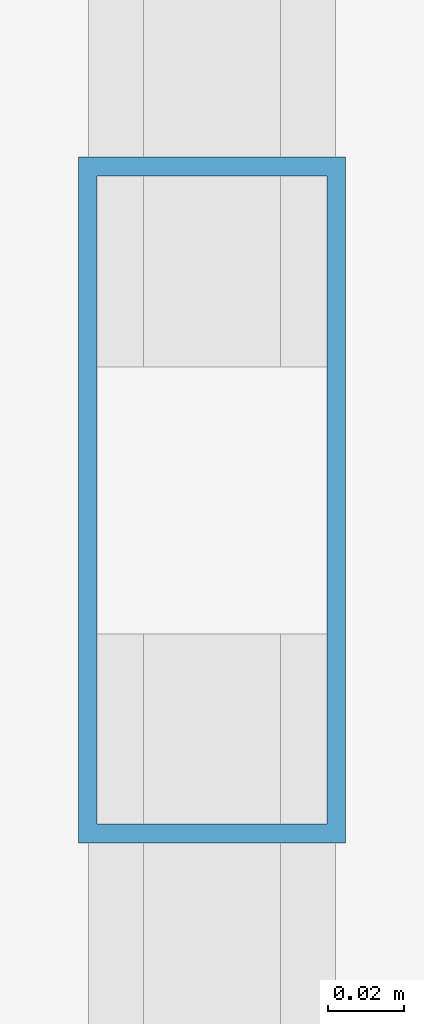
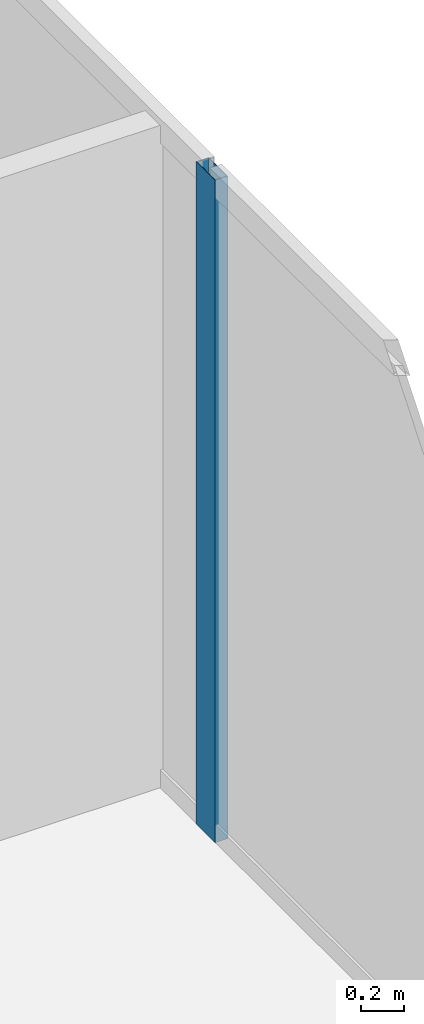
# One storey, part 24 of 33: 1 member, 1 element without a shape of its own.
"""IFC4 building model written with IfcOpenShell, lengths in metres."""

import ifcopenshell
import ifcopenshell.guid

model = None  # the IFC model being written
_history = None  # IfcOwnerHistory: only IFC2X3 demands one
_inside = {}  # id of a spatial element -> (the spatial element, [elements in it])
_under = {}  # id of a project, library or spatial element -> (it, [spatial elements below it])
_declared = {}  # id of a project -> (the project, [libraries it declares])
_typed = {}  # id of a type object -> (the type object, [elements of that type])
_made_of = {}  # id of a material, layer set ... -> (it, [elements and type objects made of it])


def new_model(schema):
    """Start an empty IFC model of exactly this schema.

    Asked for "IFC4X3", IfcOpenShell would pick the latest addendum, in which some entities
    have other attributes; the version numbers below select the first issue.
    IFC2X3 requires an IfcOwnerHistory on every rooted entity: one is made here for all.
    """
    global model, _history
    if schema == "IFC4X3":
        model = ifcopenshell.file(schema_version=(4, 3, 0, 0))
    else:
        model = ifcopenshell.file(schema=schema)
    _inside.clear()
    _under.clear()
    _declared.clear()
    _typed.clear()
    _made_of.clear()
    _history = None
    if model.schema == "IFC2X3":
        org = make("IfcOrganization", Name="unknown")
        user = make(
            "IfcPersonAndOrganization",
            ThePerson=make("IfcPerson", FamilyName="unknown"),
            TheOrganization=org,
        )
        app = make(
            "IfcApplication",
            ApplicationDeveloper=org,
            Version="unknown",
            ApplicationFullName="unknown",
            ApplicationIdentifier="unknown",
        )
        _history = make(
            "IfcOwnerHistory",
            OwningUser=user,
            OwningApplication=app,
            ChangeAction="ADDED",
            CreationDate=0,
        )
    return model


def make(cls, **values):
    """One entity of the class cls with the attributes given. An attribute that is None is left unset."""
    return model.create_entity(
        cls, **{name: value for name, value in values.items() if value is not None}
    )


def rooted(cls, **values):
    """An entity with a GlobalId (a new one), such as an element, a storey or a relation."""
    return make(cls, GlobalId=ifcopenshell.guid.new(), OwnerHistory=_history, **values)


def si_unit(unit_type, name, prefix=None):
    """IfcSIUnit, for example si_unit("LENGTHUNIT", "METRE", prefix="MILLI")."""
    return make("IfcSIUnit", UnitType=unit_type, Prefix=prefix, Name=name)


def assignment(units):
    """IfcUnitAssignment: the units of a project."""
    return None if units is None else make("IfcUnitAssignment", Units=units)


def point(xyz):
    """IfcCartesianPoint."""
    return None if xyz is None else make("IfcCartesianPoint", Coordinates=xyz)


def direction(xyz):
    """IfcDirection."""
    return None if xyz is None else make("IfcDirection", DirectionRatios=xyz)


def frame(location, z_axis=None, x_axis=None):
    """IfcAxis2Placement3D, a coordinate frame: its origin and axes. An axis left out is left unset."""
    return make(
        "IfcAxis2Placement3D",
        Location=point(location),
        Axis=direction(z_axis),
        RefDirection=direction(x_axis),
    )


def frame_2d(location, x_axis=None):
    """IfcAxis2Placement2D, a coordinate frame in the plane: its origin and x axis."""
    return make(
        "IfcAxis2Placement2D", Location=point(location), RefDirection=direction(x_axis)
    )


def origin():
    """The frame at (0, 0, 0) with its axes left unset."""
    return frame((0.0, 0.0, 0.0))


def origin_2d():
    """The frame at (0, 0) in the plane with its x axis left unset."""
    return frame_2d((0.0, 0.0))


def place(relative_to, where):
    """IfcLocalPlacement: puts the frame where relative to a parent placement (None: the world)."""
    return make(
        "IfcLocalPlacement", PlacementRelTo=relative_to, RelativePlacement=where
    )


def context(
    kind, dimensions, precision=None, world=None, true_north=None, identifier=None
):
    """IfcGeometricRepresentationContext, for example the 3D "Model" context."""
    return make(
        "IfcGeometricRepresentationContext",
        ContextIdentifier=identifier,
        ContextType=kind,
        CoordinateSpaceDimension=dimensions,
        Precision=precision,
        WorldCoordinateSystem=world,
        TrueNorth=true_north,
    )


def subcontext(parent, identifier, kind, view, scale=None):
    """IfcGeometricRepresentationSubContext, for example "Body" below "Model"."""
    return make(
        "IfcGeometricRepresentationSubContext",
        ContextIdentifier=identifier,
        ContextType=kind,
        ParentContext=parent,
        TargetScale=scale,
        TargetView=view,
    )


def project(units=None, contexts=None):
    """IfcProject with its units and contexts."""
    return rooted(
        "IfcProject",
        Name="project",
        RepresentationContexts=contexts,
        UnitsInContext=assignment(units),
    )


def spatial(cls, under=None, at=None, **own):
    """A site, building, storey or space (cls), placed at a placement, below another one or the project."""
    s = rooted(cls, ObjectPlacement=at, **own)
    if under is not None:
        _under.setdefault(under.id(), (under, []))[1].append(s)
    return s


def profile(cls, at=None, kind="AREA", **sizes):
    """A parametric profile (cls). Its sizes go by their IFC names, for example OverallWidth=200.0."""
    return make(cls, ProfileType=kind, Position=at, **sizes)


def hollow_rectangle(**sizes):
    """IfcRectangleHollowProfileDef."""
    return profile("IfcRectangleHollowProfileDef", **sizes)


def extrude(swept, where, along, depth):
    """IfcExtrudedAreaSolid: the profile swept, set in the frame where, extruded along a direction by depth."""
    return make(
        "IfcExtrudedAreaSolid",
        SweptArea=swept,
        Position=where,
        ExtrudedDirection=direction(along),
        Depth=depth,
    )


def shape(context_of_items, identifier, shape_type, items):
    """IfcShapeRepresentation: the items that make up one representation, for example the "Body"."""
    return make(
        "IfcShapeRepresentation",
        ContextOfItems=context_of_items,
        RepresentationIdentifier=identifier,
        RepresentationType=shape_type,
        Items=items,
    )


def source(mapping_origin, context_of_items, identifier, shape_type, items):
    """IfcRepresentationMap: a shape defined once, which mapped items show again and again."""
    return make(
        "IfcRepresentationMap",
        MappingOrigin=mapping_origin,
        MappedRepresentation=shape(context_of_items, identifier, shape_type, items),
    )


def transform(
    local_origin,
    x_axis=None,
    y_axis=None,
    z_axis=None,
    scale=None,
    scale2=None,
    scale3=None,
    uniform=True,
):
    """IfcCartesianTransformationOperator3D, or its non-uniform kind. x_axis, y_axis, z_axis: its Axis1, 2, 3."""
    if uniform:
        return make(
            "IfcCartesianTransformationOperator3D",
            Axis1=direction(x_axis),
            Axis2=direction(y_axis),
            LocalOrigin=point(local_origin),
            Scale=scale,
            Axis3=direction(z_axis),
        )
    return make(
        "IfcCartesianTransformationOperator3DnonUniform",
        Axis1=direction(x_axis),
        Axis2=direction(y_axis),
        LocalOrigin=point(local_origin),
        Scale=scale,
        Axis3=direction(z_axis),
        Scale2=scale2,
        Scale3=scale3,
    )


def mapped(mapping_source, mapping_target):
    """IfcMappedItem: shows the shape of a source again, moved by a transform."""
    return make(
        "IfcMappedItem", MappingSource=mapping_source, MappingTarget=mapping_target
    )


def material(Name=None, Category=None):
    """IfcMaterial."""
    return make("IfcMaterial", Name=Name, Category=Category)


def layer(
    of_material, thickness, ventilated=None, Name=None, Category=None, Priority=None
):
    """IfcMaterialLayer: one layer of a wall or slab, of a material (None: an air gap)."""
    return make(
        "IfcMaterialLayer",
        Material=of_material,
        LayerThickness=thickness,
        IsVentilated=ventilated,
        Name=Name,
        Category=Category,
        Priority=Priority,
    )


def layer_set(layers, Name=None):
    """IfcMaterialLayerSet."""
    return make("IfcMaterialLayerSet", MaterialLayers=layers, LayerSetName=Name)


def material_profile(
    of_material, cross_section, Name=None, Category=None, Priority=None
):
    """IfcMaterialProfile: a cross section and its material."""
    return make(
        "IfcMaterialProfile",
        Name=Name,
        Material=of_material,
        Profile=cross_section,
        Priority=Priority,
        Category=Category,
    )


def profile_set(profiles, Name=None, composite=None):
    """IfcMaterialProfileSet."""
    return make(
        "IfcMaterialProfileSet",
        Name=Name,
        MaterialProfiles=profiles,
        CompositeProfile=composite,
    )


def made_of(thing, what):
    """Note that an element or type object is made of a material, layer set ...; save() writes the relation."""
    if what is not None:
        _made_of.setdefault(what.id(), (what, []))[1].append(thing)
    return thing


def type_object(cls, material=None, **own):
    """A type object (cls), such as IfcWallType, which elements share."""
    return made_of(rooted(cls, **own), material)


def type_shapes(of_type, sources):
    """Give a type object the sources (RepresentationMaps) that its elements show as mapped items."""
    of_type.RepresentationMaps = sources


def element(
    cls,
    number,
    at=None,
    inside=None,
    cuts=None,
    type_object=None,
    material=None,
    context=None,
    identifier="Body",
    shape_type=None,
    held_by="IfcProductDefinitionShape",
    body=None,
    shapes=None,
    **own,
):
    """One element of the class cls, such as IfcWall. Its Tag is "e" and its number.

    at: its placement. inside: the storey or other place that contains it. cuts: it is an
    opening in that element (IfcRelVoidsElement). A single representation is given by context,
    identifier, shape_type and body (its items); several are given by shapes. held_by: the class
    of the entity that holds the representations. save() writes the other relations.
    """
    e = rooted(cls, Tag="e%d" % number, ObjectPlacement=at, **own)
    if body is not None:
        shapes = [shape(context, identifier, shape_type, body)]
    if shapes is not None:
        e.Representation = make(held_by, Representations=shapes)
    if inside is not None:
        _inside.setdefault(inside.id(), (inside, []))[1].append(e)
    if cuts is not None:
        rooted(
            "IfcRelVoidsElement", RelatingBuildingElement=cuts, RelatedOpeningElement=e
        )
    if type_object is not None:
        _typed.setdefault(type_object.id(), (type_object, []))[1].append(e)
    return made_of(e, material)


def aggregate(whole, parts):
    """IfcRelAggregates: a whole, such as a stair, and the parts it consists of."""
    return rooted("IfcRelAggregates", RelatingObject=whole, RelatedObjects=parts)


def save(model, path):
    """Write the relations noted so far, then the file.

    IfcRelAggregates (storeys below a building ...), IfcRelContainedInSpatialStructure (elements
    in a storey), IfcRelDefinesByType, IfcRelAssociatesMaterial and IfcRelDeclares: one each for
    every whole, place, type object, material and project.
    """
    for whole, parts in _under.values():
        aggregate(whole, parts)
    for where, things in _inside.values():
        rooted(
            "IfcRelContainedInSpatialStructure",
            RelatedElements=things,
            RelatingStructure=where,
        )
    for kind, things in _typed.values():
        rooted("IfcRelDefinesByType", RelatedObjects=things, RelatingType=kind)
    for what, things in _made_of.values():
        rooted("IfcRelAssociatesMaterial", RelatedObjects=things, RelatingMaterial=what)
    for by, libraries in _declared.values():
        rooted("IfcRelDeclares", RelatingContext=by, RelatedDefinitions=libraries)
    model.write(path)


model = new_model("IFC4")

# Units and contexts
model_context = context("Model", 3, precision=1e-05, world=origin(), true_north=direction((0.0, 1.0)))
body_context = subcontext(model_context, "Body", "Model", "MODEL_VIEW")
ifc_project = project(units=[si_unit("LENGTHUNIT", "METRE"), si_unit("AREAUNIT", "SQUARE_METRE"), si_unit("VOLUMEUNIT", "CUBIC_METRE"), si_unit("PLANEANGLEUNIT", "RADIAN"), si_unit("MASSUNIT", "GRAM", prefix="KILO")], contexts=[model_context])

# Site, building, storey
site_placement = place(None, origin())
site = spatial("IfcSite", under=ifc_project, at=site_placement, CompositionType="ELEMENT")
building_placement = place(site_placement, origin())
building = spatial("IfcBuilding", under=site, at=building_placement, Name="Haelvirn Gate Laboratories", CompositionType="ELEMENT")
storey_placement = place(building_placement, frame((0.0, 0.0, 275.199951171875)))
storey = spatial("IfcBuildingStorey", under=building, at=storey_placement, Name="L66", CompositionType="ELEMENT", Elevation=275.199951171875)

# Curtain wall, member
ifc_material_1 = material(Name="Anodised bronze unitised aluminium & triple low-E glass", Category="aluminium")
ifc_layer = layer(ifc_material_1, 0.176025390625, Name="CW-SYS-4")
ifc_layer_set = layer_set([ifc_layer], Name="Anodised bronze unitised aluminium & triple low-E glass")
curtain_wall_type = type_object("IfcCurtainWallType", Name="CW-SYS-4", PredefinedType="NOTDEFINED", material=ifc_layer_set)
curtain_wall_placement = place(storey_placement, origin())
curtain_wall = element("IfcCurtainWall", 1, at=curtain_wall_placement, inside=storey, type_object=curtain_wall_type, Name="L66 Unitised Curtain Wall CW-L66-P0-E07", PredefinedType="NOTDEFINED")
ifc_material_2 = material(Name="Extruded aluminium 6063-T6 (anodised bronze)", Category="aluminium")
ifc_material_profile = material_profile(ifc_material_2, hollow_rectangle(XDim=0.070068359375, YDim=0.179931640625, WallThickness=0.0048828125, at=origin_2d()), Name="CWM-180x70x5")
ifc_profile_set = profile_set([ifc_material_profile], Name="Extruded aluminium 6063-T6 (anodised bronze)")
member_type = type_object("IfcMemberType", Name="CWM-T180", PredefinedType="MULLION", material=ifc_profile_set)
shared_shape = source(origin(), body_context, "Body", "SweptSolid", [
    extrude(hollow_rectangle(XDim=0.070068359375, YDim=0.179931640625, WallThickness=0.0048828125, at=origin_2d()), origin(), (0.0, 0.0, 1.0), 3.800048828125),
])
type_shapes(member_type, [shared_shape])
member_placement = place(storey_placement, frame((70.699951171875, 24.300048828125, 0.0), z_axis=(0.0, 0.0, 1.0), x_axis=(-1.0, 0.0, 0.0)))
member = element("IfcMember", 2, at=member_placement, type_object=member_type, Name="CW4 mullion 2", PredefinedType="MULLION", context=body_context, shape_type="MappedRepresentation", body=[
    mapped(shared_shape, transform((0.0, 0.0, 0.0), scale=1.0)),
])
aggregate(curtain_wall, [member])

save(model, "model.ifc")
